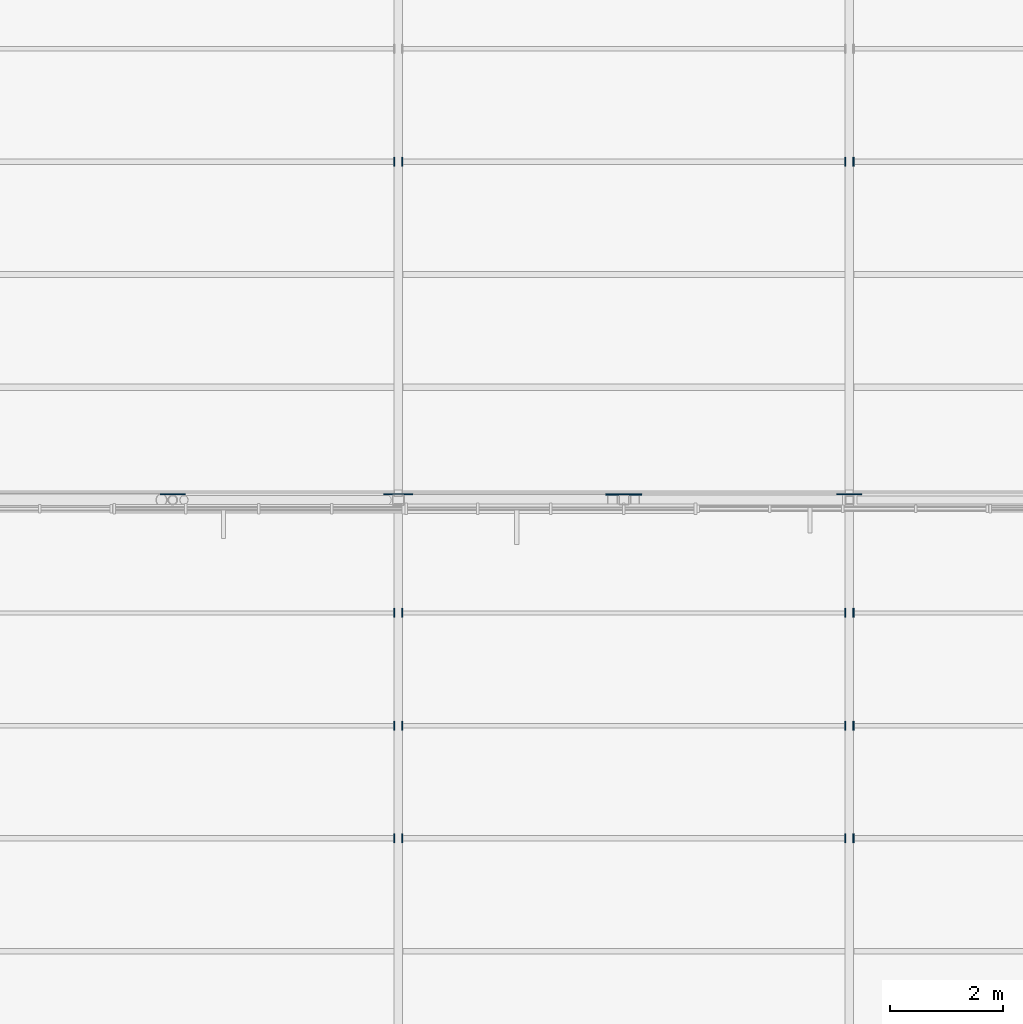
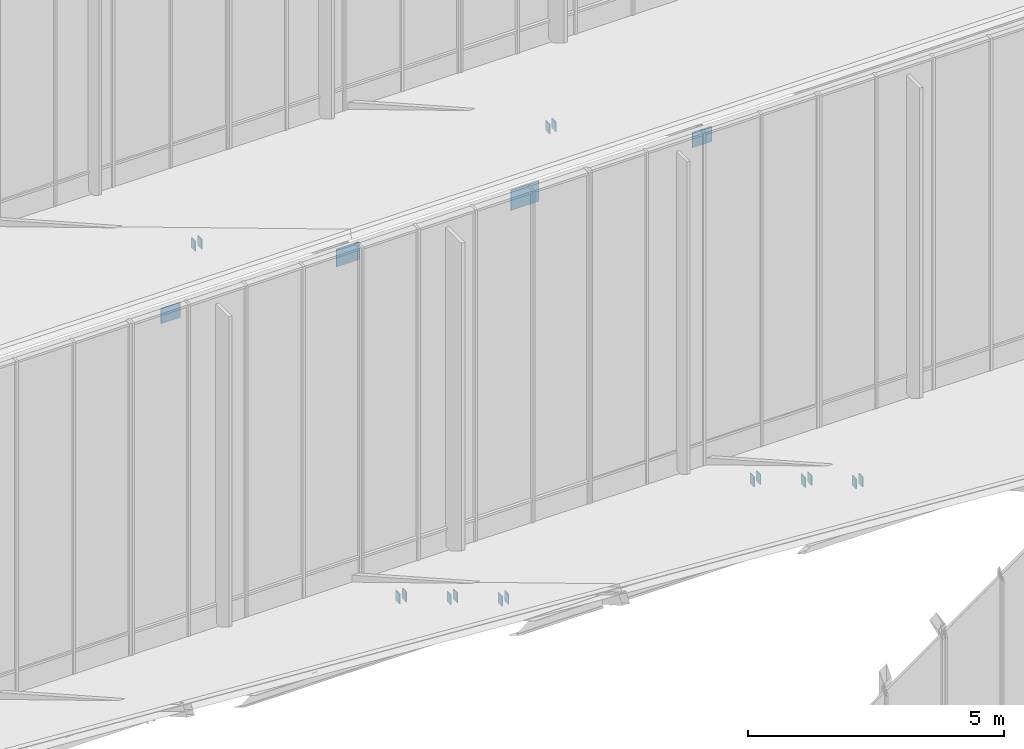
# One storey, part 90 of 155: 20 plates.
"""IFC4 building model written with IfcOpenShell, lengths in metres."""

from ifc_helpers import new_model, si_unit, direction, frame, origin, origin_2d, place, context, subcontext, project, spatial, rectangle, extrude, material, layer, layer_set, type_object, element, save


model = new_model("IFC4")

# Units and contexts
model_context = context("Model", 3, precision=1e-05, world=origin(), true_north=direction((0.0, 1.0)))
body_context = subcontext(model_context, "Body", "Model", "MODEL_VIEW")
ifc_project = project(units=[si_unit("LENGTHUNIT", "METRE"), si_unit("AREAUNIT", "SQUARE_METRE"), si_unit("VOLUMEUNIT", "CUBIC_METRE"), si_unit("PLANEANGLEUNIT", "RADIAN"), si_unit("MASSUNIT", "GRAM", prefix="KILO")], contexts=[model_context])

# Site, building, storey
site_placement = place(None, origin())
site = spatial("IfcSite", under=ifc_project, at=site_placement, CompositionType="ELEMENT")
building_placement = place(site_placement, origin())
building = spatial("IfcBuilding", under=site, at=building_placement, Name="Larkveld Mobility Hub", CompositionType="ELEMENT")
storey_placement = place(building_placement, frame((0.0, 0.0, 8.39990234375)))
storey = spatial("IfcBuildingStorey", under=building, at=storey_placement, Name="L02", CompositionType="ELEMENT", Elevation=8.39990234375)

# Plates
ifc_material = material(Name="Steel S355JR", Category="steel")
ifc_layer_1 = layer(ifc_material, 0.02001953125, Name="Steel S355JR", Category="steel")
ifc_layer_set_1 = layer_set([ifc_layer_1], Name="Steel S355JR")
plate_type_1 = type_object("IfcPlateType", Name="PT-EC02", PredefinedType="USERDEFINED", material=ifc_layer_set_1)
for number, where, z_axis, x_axis, name in (
    (1, (167.927978515625, 50.0, 3.18701171875), (0.0, 0.0, 1.0), (1.0, 0.0, 0.0), "Hollow Purlin End Cap Plate PEC-107"),
    (2, (168.072021484375, 50.0, 3.18701171875), (0.0, 0.0, 1.0), (1.0, 0.0, 0.0), "Hollow Purlin End Cap Plate PEC-108"),
    (3, (175.927978515625, 50.0, 3.18701171875), (0.0, 0.0, 1.0), (1.0, 0.0, 0.0), "Hollow Purlin End Cap Plate PEC-109"),
    (4, (176.072021484375, 50.0, 3.18701171875), (0.0, 0.0, 1.0), (1.0, 0.0, 0.0), "Hollow Purlin End Cap Plate PEC-110"),
    (5, (167.927978515625, 52.0, 2.00732421875), (0.0, 0.0, 1.0), (1.0, 0.0, 0.0), "Hollow Purlin End Cap Plate PEC-115"),
    (6, (168.072021484375, 52.0, 2.00732421875), (0.0, 0.0, 1.0), (1.0, 0.0, 0.0), "Hollow Purlin End Cap Plate PEC-116"),
    (7, (175.927978515625, 52.0, 2.00732421875), (0.0, 0.0, 1.0), (1.0, 0.0, 0.0), "Hollow Purlin End Cap Plate PEC-117"),
    (8, (176.072021484375, 52.0, 2.00732421875), (0.0, 0.0, 1.0), (1.0, 0.0, 0.0), "Hollow Purlin End Cap Plate PEC-118"),
    (9, (167.927978515625, 54.0, 0.81689453125), (0.0, 0.0, 1.0), (1.0, 0.0, 0.0), "Hollow Purlin End Cap Plate PEC-123"),
    (10, (168.072021484375, 54.0, 0.81689453125), (0.0, 0.0, 1.0), (1.0, 0.0, 0.0), "Hollow Purlin End Cap Plate PEC-124"),
    (11, (175.927978515625, 54.0, 0.81689453125), (0.0, 0.0, 1.0), (1.0, 0.0, 0.0), "Hollow Purlin End Cap Plate PEC-125"),
    (12, (176.072021484375, 54.0, 0.81689453125), (0.0, 0.0, 1.0), (1.0, 0.0, 0.0), "Hollow Purlin End Cap Plate PEC-126"),
    (13, (167.927978515625, 62.0, 4.38720703125), (0.0, 0.0, 1.0), (1.0, 0.0, 0.0), "Hollow Purlin End Cap Plate PEC-131"),
    (14, (168.072021484375, 62.0, 4.38720703125), (0.0, 0.0, 1.0), (1.0, 0.0, 0.0), "Hollow Purlin End Cap Plate PEC-132"),
    (15, (175.927978515625, 62.0, 4.38720703125), (0.0, 0.0, 1.0), (1.0, 0.0, 0.0), "Hollow Purlin End Cap Plate PEC-133"),
    (16, (176.072021484375, 62.0, 4.38720703125), (0.0, 0.0, 1.0), (1.0, 0.0, 0.0), "Hollow Purlin End Cap Plate PEC-134"),
):
    element("IfcPlate", number, at=place(storey_placement, frame(where, z_axis=z_axis, x_axis=x_axis)), inside=storey, type_object=plate_type_1, Name=name, ObjectType="GUSSET PLATE", PredefinedType="USERDEFINED", context=body_context, shape_type="SweptSolid", body=[
        extrude(rectangle(XDim=0.02001953125, YDim=0.159912109375, at=origin_2d()), origin(), (0.0, 0.0, 1.0), 0.239990234375),
    ])
ifc_layer_2 = layer(ifc_material, 0.02001953125, Name="Steel S355JR", Category="steel")
ifc_layer_set_2 = layer_set([ifc_layer_2], Name="Steel S355JR")
plate_type_2 = type_object("IfcPlateType", Name="PT-GS01", PredefinedType="USERDEFINED", material=ifc_layer_set_2)
plate_1_placement = place(storey_placement, frame((168.0, 56.10009765625, 7.615234375), z_axis=(0.0, 0.0, 1.0), x_axis=(1.0, 0.0, 0.0)))
element("IfcPlate", 17, at=plate_1_placement, inside=storey, type_object=plate_type_2, Name="Truss Node Gusset Plate TN-022", ObjectType="GUSSET PLATE", PredefinedType="USERDEFINED", context=body_context, shape_type="SweptSolid", body=[
    extrude(rectangle(XDim=0.52001953125, YDim=0.02001953125, at=origin_2d()), origin(), (0.0, 0.0, 1.0), 0.419921875),
])
ifc_layer_3 = layer(ifc_material, 0.02392578125, Name="Steel S355JR", Category="steel")
ifc_layer_set_3 = layer_set([ifc_layer_3], Name="Steel S355JR")
plate_type_3 = type_object("IfcPlateType", Name="PT-GS02", PredefinedType="USERDEFINED", material=ifc_layer_set_3)
plate_2_placement = place(storey_placement, frame((172.0, 56.10009765625, 7.585205078125), z_axis=(0.0, 0.0, 1.0), x_axis=(1.0, 0.0, 0.0)))
element("IfcPlate", 18, at=plate_2_placement, inside=storey, type_object=plate_type_3, Name="Truss Node Gusset Plate TN-023", ObjectType="GUSSET PLATE", PredefinedType="USERDEFINED", context=body_context, shape_type="SweptSolid", body=[
    extrude(rectangle(XDim=0.639892578125, YDim=0.02392578125, at=origin_2d()), origin(), (0.0, 0.0, 1.0), 0.47998046875),
])
ifc_layer_4 = layer(ifc_material, 0.01806640625, Name="Steel S355JR", Category="steel")
ifc_layer_set_4 = layer_set([ifc_layer_4], Name="Steel S355JR")
plate_type_4 = type_object("IfcPlateType", Name="PT-GS03", PredefinedType="USERDEFINED", material=ifc_layer_set_4)
for number, where, z_axis, x_axis, name in (
    (19, (164.0, 56.10009765625, 7.64501953125), (0.0, 0.0, 1.0), (1.0, 0.0, 0.0), "Truss Node Gusset Plate TN-021"),
    (20, (176.0, 56.10009765625, 7.64501953125), (0.0, 0.0, 1.0), (1.0, 0.0, 0.0), "Truss Node Gusset Plate TN-024"),
):
    element("IfcPlate", number, at=place(storey_placement, frame(where, z_axis=z_axis, x_axis=x_axis)), inside=storey, type_object=plate_type_4, Name=name, ObjectType="GUSSET PLATE", PredefinedType="USERDEFINED", context=body_context, shape_type="SweptSolid", body=[
        extrude(rectangle(XDim=0.43994140625, YDim=0.01806640625, at=origin_2d()), origin(), (0.0, 0.0, 1.0), 0.360107421875),
    ])

save(model, "model.ifc")
